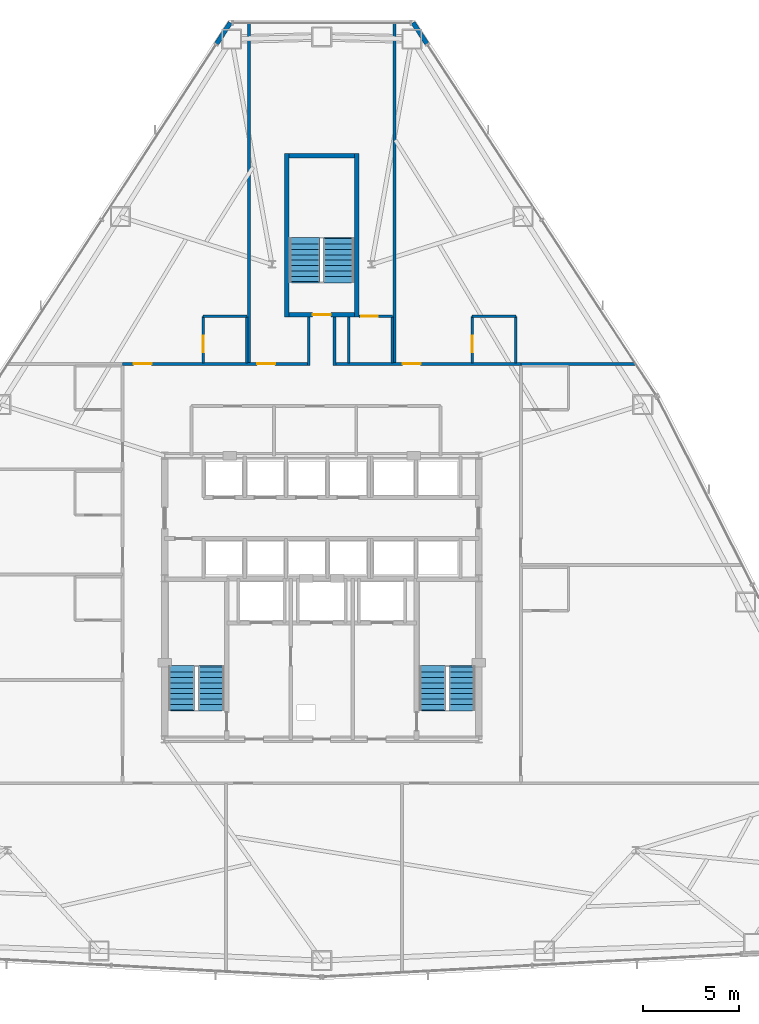
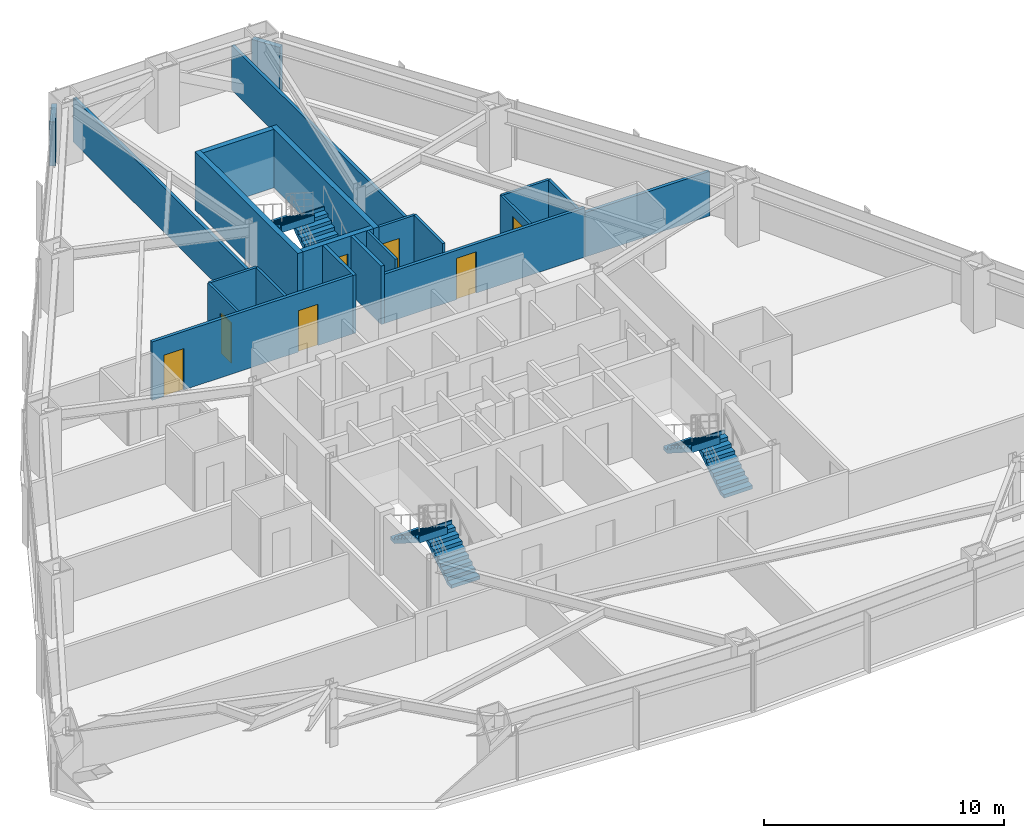
# One storey, part 11 of 12: 22 walls, 7 doors, 6 stair flights, 7 openings, 3 elements without a shape of their own.
"""IFC4 building model written with IfcOpenShell, lengths in metres."""

from ifc_helpers import new_model, si_unit, direction, frame, frame_2d, origin, place, context, subcontext, project, spatial, polyline, rectangle, outline, extrude, material, layer, layer_set, type_object, element, fill, aggregate, save


model = new_model("IFC4")

# Units and contexts
model_context = context("Model", 3, precision=1e-05, world=origin(), true_north=direction((0.0, 1.0)))
body_context = subcontext(model_context, "Body", "Model", "MODEL_VIEW")
ifc_project = project(units=[si_unit("LENGTHUNIT", "METRE"), si_unit("AREAUNIT", "SQUARE_METRE"), si_unit("VOLUMEUNIT", "CUBIC_METRE"), si_unit("PLANEANGLEUNIT", "RADIAN"), si_unit("MASSUNIT", "GRAM", prefix="KILO")], contexts=[model_context])

# Site, building, storey
site_placement = place(None, origin())
site = spatial("IfcSite", under=ifc_project, at=site_placement, CompositionType="ELEMENT")
building_placement = place(site_placement, origin())
building = spatial("IfcBuilding", under=site, at=building_placement, Name="Varakhsha Concourse Tower", CompositionType="ELEMENT")
storey_placement = place(building_placement, frame((0.0, 0.0, 73.39990234375)))
storey = spatial("IfcBuildingStorey", under=building, at=storey_placement, Name="L20", CompositionType="ELEMENT", Elevation=73.39990234375)

# Walls
ifc_material_1 = material(Name="Concrete fc 45 MPa", Category="concrete")
ifc_layer_1 = layer(ifc_material_1, 0.239990234375, Name="WL-EXT-CRN-240")
ifc_layer_set_1 = layer_set([ifc_layer_1], Name="Concrete fc 45 MPa")
wall_type_1 = type_object("IfcWallType", Name="WL-EXT-CRN-240", PredefinedType="SHEAR", material=ifc_layer_set_1)
for number, where, z_axis, x_axis, name in (
    (1, (35.228515625, 53.822998046875, 0.0), (0.0, 0.0, 1.0), (-0.546222655951, -0.83764002419, 0.0), "L20 Wind-Corner Shoulder Wall F2"),
    (2, (45.49267578125, 52.717041015625, 0.0), (0.0, 0.0, 1.0), (-0.546222655951, 0.83764002419, 0.0), "L20 Wind-Corner Shoulder Wall F9"),
):
    element("IfcWall", number, at=place(storey_placement, frame(where, z_axis=z_axis, x_axis=x_axis)), inside=storey, type_object=wall_type_1, Name=name, PredefinedType="SHEAR", context=body_context, shape_type="SweptSolid", body=[
        extrude(rectangle(XDim=1.3203125, YDim=0.239990234375, at=frame_2d((0.66015625, 0.0))), origin(), (0.0, 0.0, 1.0), 2.253173828125),
    ])

# Wall, opening, door
ifc_material_2 = material(Name="Acoustic Gypsum Board Partition Assembly", Category="gypsum")
ifc_layer_2 = layer(ifc_material_2, 0.1201171875, Name="WL-PART-120")
ifc_layer_set_2 = layer_set([ifc_layer_2], Name="Acoustic Gypsum Board Partition Assembly")
wall_type_2 = type_object("IfcWallType", Name="WL-PART-120", PredefinedType="PARTITIONING", material=ifc_layer_set_2)
wall_1_placement = place(storey_placement, frame((33.81005859375, 36.06005859375, 0.0), z_axis=(0.0, 0.0, 1.0), x_axis=(0.0, 1.0, 0.0)))
wall_1 = element("IfcWall", 3, at=wall_1_placement, inside=storey, type_object=wall_type_2, Name="L20 Wall ENSW-W-L20-H10", PredefinedType="PARTITIONING", context=body_context, shape_type="SweptSolid", body=[
    extrude(rectangle(XDim=2.429931640625, YDim=0.1201171875, at=frame_2d((1.21484375, 0.0))), origin(), (0.0, 0.0, 1.0), 2.97021484375),
])
opening_1_placement = place(wall_1_placement, frame((0.550048828125, 0.0, 0.0)))
opening_1 = element("IfcOpeningElement", 4, at=opening_1_placement, cuts=wall_1, Name="Opening DI-01", PredefinedType="OPENING", context=body_context, shape_type="SweptSolid", body=[
    extrude(rectangle(XDim=0.85009765625, YDim=2.050048828125, at=frame_2d((0.425048828125, 1.02490234375))), frame((0.0, 0.070068359375, 0.0), z_axis=(0.0, -1.0, 0.0), x_axis=(1.0, 0.0, 0.0)), (0.0, 0.0, 1.0), 0.14013671875),
])
ifc_material_3 = material(Name="Architectural Walnut Acoustic Timber Door", Category="wood")
door_type_1 = type_object("IfcDoorType", Name="DR-INT-850", OperationType="NOTDEFINED", PredefinedType="DOOR", material=ifc_material_3)
door_1_placement = place(opening_1_placement, origin())
door_1 = element("IfcDoor", 5, at=door_1_placement, inside=storey, type_object=door_type_1, Name="L20 En-suite Bathroom Door L20-H10", OperationType="SINGLE_SWING_RIGHT", OverallHeight=2.050048828125, OverallWidth=0.85009765625, PredefinedType="DOOR", context=body_context, shape_type="SweptSolid", body=[
    extrude(rectangle(XDim=0.85009765625, YDim=2.050048828125, at=frame_2d((0.425048828125, 1.02490234375))), frame((0.0, 0.02490234375, 0.0), z_axis=(0.0, -1.0, 0.0), x_axis=(1.0, 0.0, 0.0)), (0.0, 0.0, 1.0), 0.050048828125),
])
fill(opening_1, door_1)

# Walls
wall_2_placement = place(storey_placement, frame((36.090087890625, 36.06005859375, 0.0), z_axis=(0.0, 0.0, 1.0), x_axis=(0.0, 1.0, 0.0)))
element("IfcWall", 6, at=wall_2_placement, inside=storey, type_object=wall_type_2, Name="L20 Wall ENSW-E-L20-H10", PredefinedType="PARTITIONING", context=body_context, shape_type="SweptSolid", body=[
    extrude(rectangle(XDim=2.429931640625, YDim=0.1201171875, at=frame_2d((1.21484375, 0.0))), origin(), (0.0, 0.0, 1.0), 2.97021484375),
])
wall_3_placement = place(storey_placement, frame((33.81005859375, 38.489990234375, 0.0), z_axis=(0.0, 0.0, 1.0), x_axis=(1.0, 0.0, 0.0)))
element("IfcWall", 7, at=wall_3_placement, inside=storey, type_object=wall_type_2, Name="L20 Wall ENSW-N-L20-H10", PredefinedType="PARTITIONING", context=body_context, shape_type="SweptSolid", body=[
    extrude(rectangle(XDim=2.280029296875, YDim=0.1201171875, at=frame_2d((1.14013671875, 0.0))), origin(), (0.0, 0.0, 1.0), 2.97021484375),
])
wall_4_placement = place(storey_placement, frame((41.409912109375, 36.06005859375, 0.0), z_axis=(0.0, 0.0, 1.0), x_axis=(0.0, 1.0, 0.0)))
element("IfcWall", 8, at=wall_4_placement, inside=storey, type_object=wall_type_2, Name="L20 Wall ENSW-W-L20-H11", PredefinedType="PARTITIONING", context=body_context, shape_type="SweptSolid", body=[
    extrude(rectangle(XDim=2.389892578125, YDim=0.1201171875, at=frame_2d((1.19482421875, 0.0))), origin(), (0.0, 0.0, 1.0), 2.97021484375),
])
wall_5_placement = place(storey_placement, frame((43.68994140625, 36.06005859375, 0.0), z_axis=(0.0, 0.0, 1.0), x_axis=(0.0, 1.0, 0.0)))
element("IfcWall", 9, at=wall_5_placement, inside=storey, type_object=wall_type_2, Name="L20 Wall ENSW-E-L20-H11", PredefinedType="PARTITIONING", context=body_context, shape_type="SweptSolid", body=[
    extrude(rectangle(XDim=2.429931640625, YDim=0.1201171875, at=frame_2d((1.21484375, 0.0))), origin(), (0.0, 0.0, 1.0), 2.97021484375),
])

# Wall, opening, door
wall_6_placement = place(storey_placement, frame((41.949951171875, 38.489990234375, 0.0), z_axis=(0.0, 0.0, 1.0), x_axis=(1.0, 0.0, 0.0)))
wall_6 = element("IfcWall", 10, at=wall_6_placement, inside=storey, type_object=wall_type_2, Name="L20 Wall ENSW-N-L20-H11", PredefinedType="PARTITIONING", context=body_context, shape_type="SweptSolid", body=[
    extrude(rectangle(XDim=1.739990234375, YDim=0.1201171875, at=frame_2d((0.8701171875, 0.0))), origin(), (0.0, 0.0, 1.0), 2.97021484375),
])
opening_2_placement = place(wall_6_placement, frame((0.1201171875, 0.0, 0.0)))
opening_2 = element("IfcOpeningElement", 11, at=opening_2_placement, cuts=wall_6, Name="Opening DI-01", PredefinedType="OPENING", context=body_context, shape_type="SweptSolid", body=[
    extrude(rectangle(XDim=0.85009765625, YDim=2.050048828125, at=frame_2d((0.425048828125, 1.02490234375))), frame((0.0, 0.070068359375, 0.0), z_axis=(0.0, -1.0, 0.0), x_axis=(1.0, 0.0, 0.0)), (0.0, 0.0, 1.0), 0.14013671875),
])
door_2_placement = place(opening_2_placement, origin())
door_2 = element("IfcDoor", 12, at=door_2_placement, inside=storey, type_object=door_type_1, Name="L20 En-suite Bathroom Door L20-H11", OperationType="SINGLE_SWING_RIGHT", OverallHeight=2.050048828125, OverallWidth=0.85009765625, PredefinedType="DOOR", context=body_context, shape_type="SweptSolid", body=[
    extrude(rectangle(XDim=0.85009765625, YDim=2.050048828125, at=frame_2d((0.425048828125, 1.02490234375))), frame((0.0, 0.02490234375, 0.0), z_axis=(0.0, -1.0, 0.0), x_axis=(1.0, 0.0, 0.0)), (0.0, 0.0, 1.0), 0.050048828125),
])
fill(opening_2, door_2)

wall_7_placement = place(storey_placement, frame((47.860107421875, 36.06005859375, 0.0), z_axis=(0.0, 0.0, 1.0), x_axis=(0.0, 1.0, 0.0)))
wall_7 = element("IfcWall", 13, at=wall_7_placement, inside=storey, type_object=wall_type_2, Name="L20 Wall ENSW-W-L20-H12", PredefinedType="PARTITIONING", context=body_context, shape_type="SweptSolid", body=[
    extrude(rectangle(XDim=2.429931640625, YDim=0.1201171875, at=frame_2d((1.21484375, 0.0))), origin(), (0.0, 0.0, 1.0), 2.503173828125),
])
opening_3_placement = place(wall_7_placement, frame((0.550048828125, 0.0, 0.0)))
opening_3 = element("IfcOpeningElement", 14, at=opening_3_placement, cuts=wall_7, Name="Opening DI-01", PredefinedType="OPENING", context=body_context, shape_type="SweptSolid", body=[
    extrude(rectangle(XDim=0.85009765625, YDim=2.050048828125, at=frame_2d((0.425048828125, 1.02490234375))), frame((0.0, 0.070068359375, 0.0), z_axis=(0.0, -1.0, 0.0), x_axis=(1.0, 0.0, 0.0)), (0.0, 0.0, 1.0), 0.14013671875),
])
door_3_placement = place(opening_3_placement, origin())
door_3 = element("IfcDoor", 15, at=door_3_placement, inside=storey, type_object=door_type_1, Name="L20 En-suite Bathroom Door L20-H12", OperationType="SINGLE_SWING_RIGHT", OverallHeight=2.050048828125, OverallWidth=0.85009765625, PredefinedType="DOOR", context=body_context, shape_type="SweptSolid", body=[
    extrude(rectangle(XDim=0.85009765625, YDim=2.050048828125, at=frame_2d((0.425048828125, 1.02490234375))), frame((0.0, 0.02490234375, 0.0), z_axis=(0.0, -1.0, 0.0), x_axis=(1.0, 0.0, 0.0)), (0.0, 0.0, 1.0), 0.050048828125),
])
fill(opening_3, door_3)

# Walls
wall_8_placement = place(storey_placement, frame((50.139892578125, 36.06005859375, 0.0), z_axis=(0.0, 0.0, 1.0), x_axis=(0.0, 1.0, 0.0)))
element("IfcWall", 16, at=wall_8_placement, inside=storey, type_object=wall_type_2, Name="L20 Wall ENSW-E-L20-H12", PredefinedType="PARTITIONING", context=body_context, shape_type="SweptSolid", body=[
    extrude(rectangle(XDim=2.429931640625, YDim=0.1201171875, at=frame_2d((1.21484375, 0.0))), origin(), (0.0, 0.0, 1.0), 2.503173828125),
])
wall_9_placement = place(storey_placement, frame((47.860107421875, 38.489990234375, 0.0), z_axis=(0.0, 0.0, 1.0), x_axis=(1.0, 0.0, 0.0)))
element("IfcWall", 17, at=wall_9_placement, inside=storey, type_object=wall_type_2, Name="L20 Wall ENSW-N-L20-H12", PredefinedType="PARTITIONING", context=body_context, shape_type="SweptSolid", body=[
    extrude(rectangle(XDim=2.27978515625, YDim=0.1201171875, at=frame_2d((1.139892578125, 0.0))), origin(), (0.0, 0.0, 1.0), 2.503173828125),
])

# Wall, openings, doors
ifc_material_4 = material(Name="Fire-Rated Type X Gypsum Partition Assembly", Category="gypsum")
ifc_layer_3 = layer(ifc_material_4, 0.14990234375, Name="WL-PART-150")
ifc_layer_set_3 = layer_set([ifc_layer_3], Name="Fire-Rated Type X Gypsum Partition Assembly")
wall_type_3 = type_object("IfcWallType", Name="WL-PART-150", PredefinedType="PARTITIONING", material=ifc_layer_set_3)
wall_10_placement = place(storey_placement, frame((29.60009765625, 36.0, 0.0), z_axis=(0.0, 0.0, 1.0), x_axis=(1.0, 0.0, 0.0)))
wall_10 = element("IfcWall", 18, at=wall_10_placement, inside=storey, type_object=wall_type_3, Name="L20 Wall CRW-N-L20", PredefinedType="PARTITIONING", context=body_context, shape_type="SweptSolid", body=[
    extrude(rectangle(XDim=9.64990234375, YDim=0.14990234375, at=frame_2d((4.824951171875, 0.0))), origin(), (0.0, 0.0, 1.0), 2.97021484375),
])
opening_4_placement = place(wall_10_placement, frame((0.570068359375, 0.0, 0.0)))
opening_4 = element("IfcOpeningElement", 19, at=opening_4_placement, cuts=wall_10, Name="Opening DF-05", PredefinedType="OPENING", context=body_context, shape_type="SweptSolid", body=[
    extrude(rectangle(XDim=0.949951171875, YDim=2.10009765625, at=frame_2d((0.47509765625, 1.050048828125))), frame((0.0, 0.0849609375, 0.0), z_axis=(0.0, -1.0, 0.0), x_axis=(1.0, 0.0, 0.0)), (0.0, 0.0, 1.0), 0.169921875),
])
opening_5_placement = place(wall_10_placement, frame((7.02001953125, 0.0, 0.0)))
opening_5 = element("IfcOpeningElement", 20, at=opening_5_placement, cuts=wall_10, Name="Opening DF-05", PredefinedType="OPENING", context=body_context, shape_type="SweptSolid", body=[
    extrude(rectangle(XDim=0.949951171875, YDim=2.10009765625, at=frame_2d((0.47509765625, 1.050048828125))), frame((0.0, 0.0849609375, 0.0), z_axis=(0.0, -1.0, 0.0), x_axis=(1.0, 0.0, 0.0)), (0.0, 0.0, 1.0), 0.169921875),
])
ifc_material_5 = material(Name="Hollow Galvanised Steel Fire Door Assembly", Category="steel")
door_type_2 = type_object("IfcDoorType", Name="DR-FD60-950", OperationType="NOTDEFINED", PredefinedType="DOOR", material=ifc_material_5)
door_4_placement = place(opening_4_placement, origin())
door_4 = element("IfcDoor", 21, at=door_4_placement, inside=storey, type_object=door_type_2, Name="L20 Hotel Corner Suite L20-H10 Entry Door", OperationType="SINGLE_SWING_RIGHT", OverallHeight=2.10009765625, OverallWidth=0.949951171875, PredefinedType="DOOR", context=body_context, shape_type="SweptSolid", body=[
    extrude(rectangle(XDim=0.949951171875, YDim=2.10009765625, at=frame_2d((0.47509765625, 1.050048828125))), frame((0.0, 0.02490234375, 0.0), z_axis=(0.0, -1.0, 0.0), x_axis=(1.0, 0.0, 0.0)), (0.0, 0.0, 1.0), 0.050048828125),
])
fill(opening_4, door_4)
door_5_placement = place(opening_5_placement, origin())
door_5 = element("IfcDoor", 22, at=door_5_placement, inside=storey, type_object=door_type_2, Name="L20 Hotel Corner Suite L20-H11 Entry Door", OperationType="SINGLE_SWING_LEFT", OverallHeight=2.10009765625, OverallWidth=0.949951171875, PredefinedType="DOOR", context=body_context, shape_type="SweptSolid", body=[
    extrude(rectangle(XDim=0.949951171875, YDim=2.10009765625, at=frame_2d((0.47509765625, 1.050048828125))), frame((0.0, 0.02490234375, 0.0), z_axis=(0.0, -1.0, 0.0), x_axis=(1.0, 0.0, 0.0)), (0.0, 0.0, 1.0), 0.050048828125),
])
fill(opening_5, door_5)

# Wall, opening, door
wall_11_placement = place(storey_placement, frame((40.75, 36.0, 0.0), z_axis=(0.0, 0.0, 1.0), x_axis=(1.0, 0.0, 0.0)))
wall_11 = element("IfcWall", 23, at=wall_11_placement, inside=storey, type_object=wall_type_3, Name="L20 Wall CRW-N-L20-B", PredefinedType="PARTITIONING", context=body_context, shape_type="SweptSolid", body=[
    extrude(rectangle(XDim=9.64990234375, YDim=0.14990234375, at=frame_2d((4.824951171875, 0.0))), origin(), (0.0, 0.0, 1.0), 2.503173828125),
])
opening_6_placement = place(wall_11_placement, frame((3.469970703125, 0.0, 0.0)))
opening_6 = element("IfcOpeningElement", 24, at=opening_6_placement, cuts=wall_11, Name="Opening DF-05", PredefinedType="OPENING", context=body_context, shape_type="SweptSolid", body=[
    extrude(rectangle(XDim=0.949951171875, YDim=2.10009765625, at=frame_2d((0.47509765625, 1.050048828125))), frame((0.0, 0.0849609375, 0.0), z_axis=(0.0, -1.0, 0.0), x_axis=(1.0, 0.0, 0.0)), (0.0, 0.0, 1.0), 0.169921875),
])
door_6_placement = place(opening_6_placement, origin())
door_6 = element("IfcDoor", 25, at=door_6_placement, inside=storey, type_object=door_type_2, Name="L20 Hotel Corner Suite L20-H12 Entry Door", OperationType="SINGLE_SWING_RIGHT", OverallHeight=2.10009765625, OverallWidth=0.949951171875, PredefinedType="DOOR", context=body_context, shape_type="SweptSolid", body=[
    extrude(rectangle(XDim=0.949951171875, YDim=2.10009765625, at=frame_2d((0.47509765625, 1.050048828125))), frame((0.0, 0.02490234375, 0.0), z_axis=(0.0, -1.0, 0.0), x_axis=(1.0, 0.0, 0.0)), (0.0, 0.0, 1.0), 0.050048828125),
])
fill(opening_6, door_6)

# Walls
wall_12_placement = place(storey_placement, frame((50.39990234375, 36.0, 0.0), z_axis=(0.0, 0.0, 1.0), x_axis=(1.0, 0.0, 0.0)))
element("IfcWall", 26, at=wall_12_placement, inside=storey, type_object=wall_type_3, Name="L20 Wall HDIV-EBN-L20", PredefinedType="PARTITIONING", context=body_context, shape_type="SweptSolid", body=[
    extrude(rectangle(XDim=5.98876953125, YDim=0.14990234375, at=frame_2d((2.994384765625, 0.0))), origin(), (0.0, 0.0, 1.0), 2.258056640625),
])
for number, where, z_axis, x_axis, name in (
    (27, (36.199951171875, 36.0, 0.0), (0.0, 0.0, 1.0), (0.0, 1.0, 0.0), "L20 Wall HDIV-N1-L20"),
    (28, (43.800048828125, 36.0, 0.0), (0.0, 0.0, 1.0), (0.0, 1.0, 0.0), "L20 Wall HDIV-N2-L20"),
):
    element("IfcWall", number, at=place(storey_placement, frame(where, z_axis=z_axis, x_axis=x_axis)), inside=storey, type_object=wall_type_3, Name=name, PredefinedType="PARTITIONING", context=body_context, shape_type="SweptSolid", body=[
        extrude(rectangle(XDim=17.79736328125, YDim=0.14990234375, at=frame_2d((8.898681640625, 0.0))), origin(), (0.0, 0.0, 1.0), 2.258056640625),
    ])
for number, where, z_axis, x_axis, name in (
    (29, (39.324951171875, 35.925048828125, 0.0), (0.0, 0.0, 1.0), (0.0, 1.0, 0.0), "L20 Wall STUB-W-L20"),
    (30, (40.675048828125, 35.925048828125, 0.0), (0.0, 0.0, 1.0), (0.0, 1.0, 0.0), "L20 Wall STUB-E-L20"),
):
    element("IfcWall", number, at=place(storey_placement, frame(where, z_axis=z_axis, x_axis=x_axis)), inside=storey, type_object=wall_type_3, Name=name, PredefinedType="PARTITIONING", context=body_context, shape_type="SweptSolid", body=[
        extrude(rectangle(XDim=2.52490234375, YDim=0.14990234375, at=frame_2d((1.262451171875, 0.0))), origin(), (0.0, 0.0, 1.0), 2.97021484375),
    ])
ifc_layer_4 = layer(ifc_material_1, 0.25, Name="WL-STAIR-250")
ifc_layer_set_4 = layer_set([ifc_layer_4], Name="Concrete fc 45 MPa")
wall_type_4 = type_object("IfcWallType", Name="WL-STAIR-250", PredefinedType="SHEAR", material=ifc_layer_set_4)
for number, where, z_axis, x_axis, name in (
    (31, (38.175048828125, 38.449951171875, 0.0), (0.0, 0.0, 1.0), (0.0, 1.0, 0.0), "L20 Wall SWALL-ST5-W-L20"),
    (32, (41.824951171875, 38.449951171875, 0.0), (0.0, 0.0, 1.0), (0.0, 1.0, 0.0), "L20 Wall SWALL-ST5-E-L20"),
):
    element("IfcWall", number, at=place(storey_placement, frame(where, z_axis=z_axis, x_axis=x_axis)), inside=storey, type_object=wall_type_4, Name=name, PredefinedType="SHEAR", context=body_context, shape_type="SweptSolid", body=[
        extrude(rectangle(XDim=8.550048828125, YDim=0.25, at=frame_2d((4.27490234375, 0.0))), origin(), (0.0, 0.0, 1.0), 2.97021484375),
    ])

# Wall, opening, door
wall_13_placement = place(storey_placement, frame((38.300048828125, 38.574951171875, 0.0), z_axis=(0.0, 0.0, 1.0), x_axis=(1.0, 0.0, 0.0)))
wall_13 = element("IfcWall", 33, at=wall_13_placement, inside=storey, type_object=wall_type_4, Name="L20 Wall SWALL-ST5-S-L20", PredefinedType="SHEAR", context=body_context, shape_type="SweptSolid", body=[
    extrude(rectangle(XDim=3.39990234375, YDim=0.25, at=frame_2d((1.699951171875, 0.0))), origin(), (0.0, 0.0, 1.0), 2.97021484375),
])
opening_7_placement = place(wall_13_placement, frame((1.22509765625, 0.0, 0.0)))
opening_7 = element("IfcOpeningElement", 34, at=opening_7_placement, cuts=wall_13, Name="Opening DF-03", PredefinedType="OPENING", context=body_context, shape_type="SweptSolid", body=[
    extrude(rectangle(XDim=0.949951171875, YDim=2.10009765625, at=frame_2d((0.47509765625, 1.050048828125))), frame((0.0, 0.135009765625, 0.0), z_axis=(0.0, -1.0, 0.0), x_axis=(1.0, 0.0, 0.0)), (0.0, 0.0, 1.0), 0.27001953125),
])
door_type_3 = type_object("IfcDoorType", Name="DR-FD90-950", OperationType="NOTDEFINED", PredefinedType="DOOR", material=ifc_material_5)
door_7_placement = place(opening_7_placement, origin())
door_7 = element("IfcDoor", 35, at=door_7_placement, inside=storey, type_object=door_type_3, Name="L20 Stair ST5 Fire Door", OperationType="SINGLE_SWING_RIGHT", OverallHeight=2.10009765625, OverallWidth=0.949951171875, PredefinedType="DOOR", context=body_context, shape_type="SweptSolid", body=[
    extrude(rectangle(XDim=0.949951171875, YDim=2.10009765625, at=frame_2d((0.47509765625, 1.050048828125))), frame((0.0, 0.02490234375, 0.0), z_axis=(0.0, -1.0, 0.0), x_axis=(1.0, 0.0, 0.0)), (0.0, 0.0, 1.0), 0.050048828125),
])
fill(opening_7, door_7)

# Wall
wall_14_placement = place(storey_placement, frame((38.300048828125, 46.875, 0.0), z_axis=(0.0, 0.0, 1.0), x_axis=(1.0, 0.0, 0.0)))
element("IfcWall", 36, at=wall_14_placement, inside=storey, type_object=wall_type_4, Name="L20 Wall SWALL-ST5-N-L20", PredefinedType="SHEAR", context=body_context, shape_type="SweptSolid", body=[
    extrude(rectangle(XDim=3.39990234375, YDim=0.25, at=frame_2d((1.699951171875, 0.0))), origin(), (0.0, 0.0, 1.0), 2.97021484375),
])

# Stair, stair flights
stair_type_1 = type_object("IfcStairType", Name="ST-DOGLEG-1360", PredefinedType="HALF_TURN_STAIR", material=ifc_material_1)
stair_1_placement = place(storey_placement, origin())
stair_1 = element("IfcStair", 37, at=stair_1_placement, inside=storey, type_object=stair_type_1, Name="L20 Protected Exit Stair ST1", PredefinedType="HALF_TURN_STAIR")
stair_flight_type_1 = type_object("IfcStairFlightType", Name="STF-1360-R1778", PredefinedType="STRAIGHT", material=ifc_material_1)
stair_flight_1_placement = place(storey_placement, frame((34.239990234375, 17.93994140625, 0.0), z_axis=(0.0, 0.0, 1.0), x_axis=(0.0, 1.0, 0.0)))
stair_flight_1 = element("IfcStairFlight", 38, at=stair_flight_1_placement, type_object=stair_flight_type_1, Name="ST1 flight 1", NumberOfRisers=9, NumberOfTreads=8, PredefinedType="STRAIGHT", RiserHeight=0.177777778, TreadLength=0.28, context=body_context, shape_type="SweptSolid", body=[
    extrude(outline(polyline([(-0.06005859375, 0.0), (-0.06005859375, 0.177734375), (0.0, 0.177734375), (0.280029296875, 0.177734375), (0.280029296875, 0.35546875), (0.56005859375, 0.35546875), (0.56005859375, 0.533447265625), (0.840087890625, 0.533447265625), (0.840087890625, 0.711181640625), (1.1201171875, 0.711181640625), (1.1201171875, 0.888916015625), (1.39990234375, 0.888916015625), (1.39990234375, 1.066650390625), (1.679931640625, 1.066650390625), (1.679931640625, 1.244384765625), (1.9599609375, 1.244384765625), (1.9599609375, 1.422119140625), (2.239990234375, 1.422119140625), (2.239990234375, 1.60009765625), (2.300048828125, 1.60009765625), (2.300048828125, 1.24462890625), (2.239990234375, 1.24462890625), (0.27978515625, 0.0), (-0.06005859375, 0.0)])), frame((0.0, 0.68017578125, 0.0), z_axis=(0.0, -1.0, 0.0), x_axis=(1.0, 0.0, 0.0)), (0.0, 0.0, 1.0), 1.360107421875),
])
stair_flight_2_placement = place(storey_placement, frame((32.679931640625, 20.179931640625, 1.60009765625), z_axis=(0.0, 0.0, 1.0), x_axis=(0.0, -1.0, 0.0)))
stair_flight_2 = element("IfcStairFlight", 39, at=stair_flight_2_placement, type_object=stair_flight_type_1, Name="ST1 flight 2", NumberOfRisers=9, NumberOfTreads=8, PredefinedType="STRAIGHT", RiserHeight=0.177777778, TreadLength=0.28, context=body_context, shape_type="SweptSolid", body=[
    extrude(outline(polyline([(-0.06005859375, 0.0), (-0.06005859375, 0.177734375), (0.0, 0.177734375), (0.280029296875, 0.177734375), (0.280029296875, 0.35546875), (0.56005859375, 0.35546875), (0.56005859375, 0.533447265625), (0.840087890625, 0.533447265625), (0.840087890625, 0.711181640625), (1.1201171875, 0.711181640625), (1.1201171875, 0.888916015625), (1.39990234375, 0.888916015625), (1.39990234375, 1.066650390625), (1.679931640625, 1.066650390625), (1.679931640625, 1.244384765625), (1.9599609375, 1.244384765625), (1.9599609375, 1.422119140625), (2.239990234375, 1.422119140625), (2.239990234375, 1.60009765625), (2.300048828125, 1.60009765625), (2.300048828125, 1.24462890625), (2.239990234375, 1.24462890625), (0.27978515625, 0.0), (-0.06005859375, 0.0)])), frame((0.0, 0.68017578125, 0.0), z_axis=(0.0, -1.0, 0.0), x_axis=(1.0, 0.0, 0.0)), (0.0, 0.0, 1.0), 1.360107421875),
])
aggregate(stair_1, [stair_flight_1, stair_flight_2])

stair_2_placement = place(storey_placement, origin())
stair_2 = element("IfcStair", 40, at=stair_2_placement, inside=storey, type_object=stair_type_1, Name="L20 Protected Exit Stair ST2", PredefinedType="HALF_TURN_STAIR")
stair_flight_3_placement = place(storey_placement, frame((47.340087890625, 17.93994140625, 0.0), z_axis=(0.0, 0.0, 1.0), x_axis=(0.0, 1.0, 0.0)))
stair_flight_3 = element("IfcStairFlight", 41, at=stair_flight_3_placement, type_object=stair_flight_type_1, Name="ST2 flight 1", NumberOfRisers=9, NumberOfTreads=8, PredefinedType="STRAIGHT", RiserHeight=0.177777778, TreadLength=0.28, context=body_context, shape_type="SweptSolid", body=[
    extrude(outline(polyline([(-0.06005859375, 0.0), (-0.06005859375, 0.177734375), (0.0, 0.177734375), (0.280029296875, 0.177734375), (0.280029296875, 0.35546875), (0.56005859375, 0.35546875), (0.56005859375, 0.533447265625), (0.840087890625, 0.533447265625), (0.840087890625, 0.711181640625), (1.1201171875, 0.711181640625), (1.1201171875, 0.888916015625), (1.39990234375, 0.888916015625), (1.39990234375, 1.066650390625), (1.679931640625, 1.066650390625), (1.679931640625, 1.244384765625), (1.9599609375, 1.244384765625), (1.9599609375, 1.422119140625), (2.239990234375, 1.422119140625), (2.239990234375, 1.60009765625), (2.300048828125, 1.60009765625), (2.300048828125, 1.24462890625), (2.239990234375, 1.24462890625), (0.27978515625, 0.0), (-0.06005859375, 0.0)])), frame((0.0, 0.68017578125, 0.0), z_axis=(0.0, -1.0, 0.0), x_axis=(1.0, 0.0, 0.0)), (0.0, 0.0, 1.0), 1.360107421875),
])
stair_flight_4_placement = place(storey_placement, frame((45.780029296875, 20.179931640625, 1.60009765625), z_axis=(0.0, 0.0, 1.0), x_axis=(0.0, -1.0, 0.0)))
stair_flight_4 = element("IfcStairFlight", 42, at=stair_flight_4_placement, type_object=stair_flight_type_1, Name="ST2 flight 2", NumberOfRisers=9, NumberOfTreads=8, PredefinedType="STRAIGHT", RiserHeight=0.177777778, TreadLength=0.28, context=body_context, shape_type="SweptSolid", body=[
    extrude(outline(polyline([(-0.06005859375, 0.0), (-0.06005859375, 0.177734375), (0.0, 0.177734375), (0.280029296875, 0.177734375), (0.280029296875, 0.35546875), (0.56005859375, 0.35546875), (0.56005859375, 0.533447265625), (0.840087890625, 0.533447265625), (0.840087890625, 0.711181640625), (1.1201171875, 0.711181640625), (1.1201171875, 0.888916015625), (1.39990234375, 0.888916015625), (1.39990234375, 1.066650390625), (1.679931640625, 1.066650390625), (1.679931640625, 1.244384765625), (1.9599609375, 1.244384765625), (1.9599609375, 1.422119140625), (2.239990234375, 1.422119140625), (2.239990234375, 1.60009765625), (2.300048828125, 1.60009765625), (2.300048828125, 1.24462890625), (2.239990234375, 1.24462890625), (0.27978515625, 0.0), (-0.06005859375, 0.0)])), frame((0.0, 0.68017578125, 0.0), z_axis=(0.0, -1.0, 0.0), x_axis=(1.0, 0.0, 0.0)), (0.0, 0.0, 1.0), 1.360107421875),
])
aggregate(stair_2, [stair_flight_3, stair_flight_4])

stair_type_2 = type_object("IfcStairType", Name="ST-DOGLEG-1600", PredefinedType="HALF_TURN_STAIR", material=ifc_material_1)
stair_3_placement = place(storey_placement, origin())
stair_3 = element("IfcStair", 43, at=stair_3_placement, inside=storey, type_object=stair_type_2, Name="L20 Protected Exit Stair ST5", PredefinedType="HALF_TURN_STAIR")
stair_flight_type_2 = type_object("IfcStairFlightType", Name="STF-1600-R1778", PredefinedType="STRAIGHT", material=ifc_material_1)
stair_flight_5_placement = place(storey_placement, frame((40.89990234375, 40.300048828125, 0.0), z_axis=(0.0, 0.0, 1.0), x_axis=(0.0, 1.0, 0.0)))
stair_flight_5 = element("IfcStairFlight", 44, at=stair_flight_5_placement, type_object=stair_flight_type_2, Name="ST5 flight 1", NumberOfRisers=9, NumberOfTreads=8, PredefinedType="STRAIGHT", RiserHeight=0.177777778, TreadLength=0.28, context=body_context, shape_type="SweptSolid", body=[
    extrude(outline(polyline([(-0.06005859375, 0.0), (-0.06005859375, 0.177734375), (0.0, 0.177734375), (0.280029296875, 0.177734375), (0.280029296875, 0.35546875), (0.56005859375, 0.35546875), (0.56005859375, 0.533447265625), (0.840087890625, 0.533447265625), (0.840087890625, 0.711181640625), (1.1201171875, 0.711181640625), (1.1201171875, 0.888916015625), (1.39990234375, 0.888916015625), (1.39990234375, 1.066650390625), (1.679931640625, 1.066650390625), (1.679931640625, 1.244384765625), (1.9599609375, 1.244384765625), (1.9599609375, 1.422119140625), (2.239990234375, 1.422119140625), (2.239990234375, 1.60009765625), (2.300048828125, 1.60009765625), (2.300048828125, 1.24462890625), (2.239990234375, 1.24462890625), (0.27978515625, 0.0), (-0.06005859375, 0.0)])), frame((0.0, 0.800048828125, 0.0), z_axis=(0.0, -1.0, 0.0), x_axis=(1.0, 0.0, 0.0)), (0.0, 0.0, 1.0), 1.60009765625),
])
stair_flight_6_placement = place(storey_placement, frame((39.10009765625, 42.5400390625, 1.60009765625), z_axis=(0.0, 0.0, 1.0), x_axis=(0.0, -1.0, 0.0)))
stair_flight_6 = element("IfcStairFlight", 45, at=stair_flight_6_placement, type_object=stair_flight_type_2, Name="ST5 flight 2", NumberOfRisers=9, NumberOfTreads=8, PredefinedType="STRAIGHT", RiserHeight=0.177777778, TreadLength=0.28, context=body_context, shape_type="SweptSolid", body=[
    extrude(outline(polyline([(-0.06005859375, 0.0), (-0.06005859375, 0.177734375), (0.0, 0.177734375), (0.280029296875, 0.177734375), (0.280029296875, 0.35546875), (0.56005859375, 0.35546875), (0.56005859375, 0.533447265625), (0.840087890625, 0.533447265625), (0.840087890625, 0.711181640625), (1.1201171875, 0.711181640625), (1.1201171875, 0.888916015625), (1.39990234375, 0.888916015625), (1.39990234375, 1.066650390625), (1.679931640625, 1.066650390625), (1.679931640625, 1.244384765625), (1.9599609375, 1.244384765625), (1.9599609375, 1.422119140625), (2.239990234375, 1.422119140625), (2.239990234375, 1.60009765625), (2.300048828125, 1.60009765625), (2.300048828125, 1.24462890625), (2.239990234375, 1.24462890625), (0.27978515625, 0.0), (-0.06005859375, 0.0)])), frame((0.0, 0.800048828125, 0.0), z_axis=(0.0, -1.0, 0.0), x_axis=(1.0, 0.0, 0.0)), (0.0, 0.0, 1.0), 1.60009765625),
])
aggregate(stair_3, [stair_flight_5, stair_flight_6])

save(model, "model.ifc")
